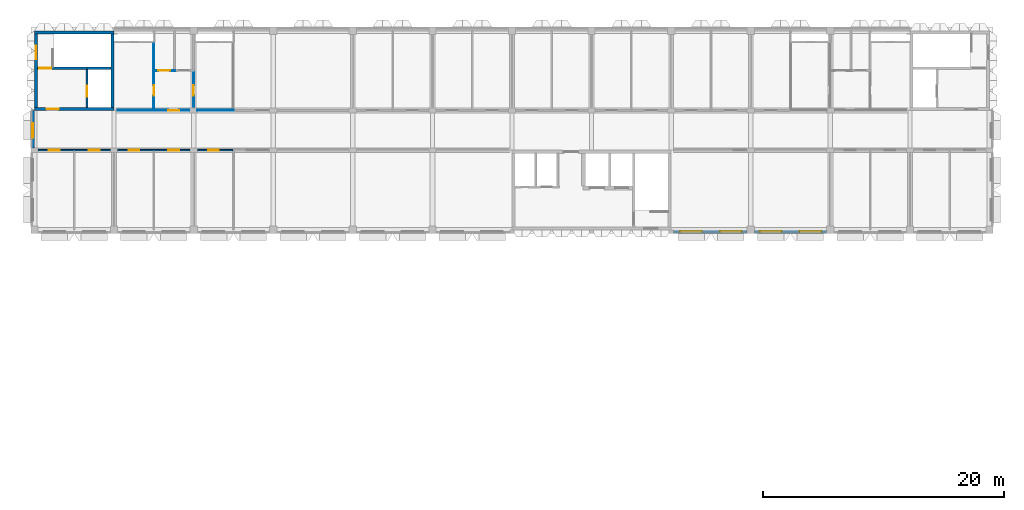
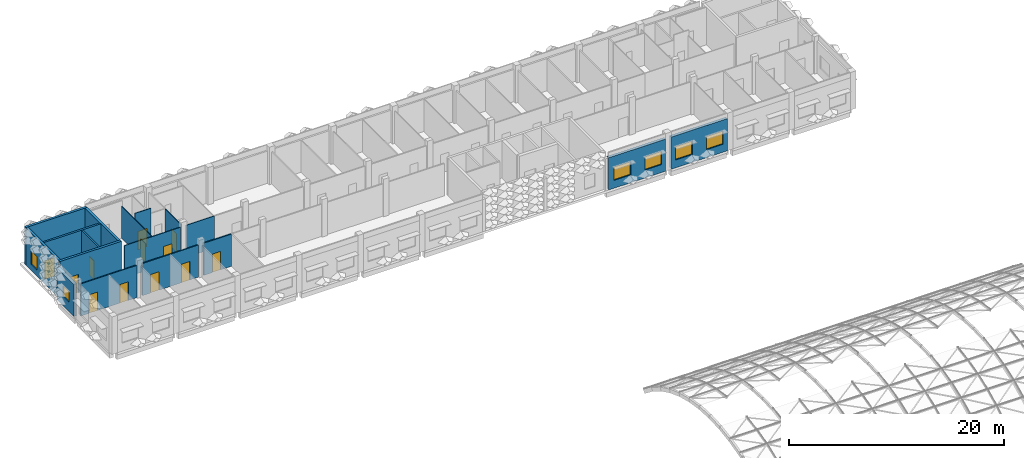
# One storey, part 32 of 85: 17 walls, 12 doors, 6 windows, 18 openings.
"""IFC4 building model written with IfcOpenShell, lengths in metres."""

from ifc_helpers import new_model, si_unit, direction, frame, frame_2d, origin, place, context, subcontext, project, spatial, rectangle, extrude, material, layer, layer_set, type_object, element, fill, save


model = new_model("IFC4")

# Units and contexts
model_context = context("Model", 3, precision=1e-05, world=origin(), true_north=direction((0.0, 1.0)))
body_context = subcontext(model_context, "Body", "Model", "MODEL_VIEW")
ifc_project = project(units=[si_unit("LENGTHUNIT", "METRE"), si_unit("AREAUNIT", "SQUARE_METRE"), si_unit("VOLUMEUNIT", "CUBIC_METRE"), si_unit("PLANEANGLEUNIT", "RADIAN"), si_unit("MASSUNIT", "GRAM", prefix="KILO")], contexts=[model_context])

# Site, building, storey
site_placement = place(None, origin())
site = spatial("IfcSite", under=ifc_project, at=site_placement, CompositionType="ELEMENT")
building_placement = place(site_placement, origin())
building = spatial("IfcBuilding", under=site, at=building_placement, Name="Lantern Court Research Institute", CompositionType="ELEMENT")
storey_placement = place(building_placement, frame((0.0, 0.0, 18.89990234375)))
storey = spatial("IfcBuildingStorey", under=building, at=storey_placement, Name="L04", CompositionType="ELEMENT", Elevation=18.89990234375)

# Wall, openings, windows
ifc_material_1 = material(Name="Concrete C30/37", Category="concrete")
ifc_layer_1 = layer(ifc_material_1, 0.300048828125)
ifc_layer_set_1 = layer_set([ifc_layer_1], Name="Concrete C30/37")
wall_type_1 = type_object("IfcWallType", Name="Insulated concrete infill wall 300", PredefinedType="STANDARD", material=ifc_layer_set_1)
wall_1_placement = place(storey_placement, frame((59.10009765625, 82.35009765625, 0.0), z_axis=(0.0, 0.0, 1.0), x_axis=(-1.0, 0.0, 0.0)))
wall_1 = element("IfcWall", 1, at=wall_1_placement, inside=storey, type_object=wall_type_1, Name="Exterior wall EW224", PredefinedType="STANDARD", context=body_context, shape_type="SweptSolid", body=[
    extrude(rectangle(XDim=6.125, YDim=0.300048828125, at=frame_2d((3.0625, 0.0))), origin(), (0.0, 0.0, 1.0), 3.650146484375),
])
opening_1_placement = place(wall_1_placement, frame((3.75, 0.0, 0.89990234375)))
opening_1 = element("IfcOpeningElement", 2, at=opening_1_placement, cuts=wall_1, Name="Opening W14", PredefinedType="OPENING", context=body_context, shape_type="SweptSolid", body=[
    extrude(rectangle(XDim=1.800048828125, YDim=1.5, at=frame_2d((0.89990234375, 0.75))), frame((0.0, 0.159912109375, 0.0), z_axis=(0.0, -1.0, 0.0), x_axis=(1.0, 0.0, 0.0)), (0.0, 0.0, 1.0), 0.320068359375),
])
opening_2_placement = place(wall_1_placement, frame((0.449951171875, 0.0, 0.89990234375)))
opening_2 = element("IfcOpeningElement", 3, at=opening_2_placement, cuts=wall_1, Name="Opening W14", PredefinedType="OPENING", context=body_context, shape_type="SweptSolid", body=[
    extrude(rectangle(XDim=1.800048828125, YDim=1.5, at=frame_2d((0.89990234375, 0.75))), frame((0.0, 0.159912109375, 0.0), z_axis=(0.0, -1.0, 0.0), x_axis=(1.0, 0.0, 0.0)), (0.0, 0.0, 1.0), 0.320068359375),
])
ifc_material_2 = material(Name="Aluminium frame with laminated low-emissivity glazing", Category="aluminium")
window_type_1 = type_object("IfcWindowType", Name="Office window 1800 x 1500", PartitioningType="SINGLE_PANEL", PredefinedType="WINDOW", material=ifc_material_2)
window_1_placement = place(opening_1_placement, origin())
window_1 = element("IfcWindow", 4, at=window_1_placement, inside=storey, type_object=window_type_1, Name="Window W14 V6S L04", OverallHeight=1.5, OverallWidth=1.800048828125, PartitioningType="SINGLE_PANEL", PredefinedType="WINDOW", context=body_context, shape_type="SweptSolid", body=[
    extrude(rectangle(XDim=1.800048828125, YDim=1.5, at=frame_2d((0.89990234375, 0.75))), frame((0.0, 0.030029296875, 0.0), z_axis=(0.0, -1.0, 0.0), x_axis=(1.0, 0.0, 0.0)), (0.0, 0.0, 1.0), 0.06005859375),
])
fill(opening_1, window_1)
window_2_placement = place(opening_2_placement, origin())
window_2 = element("IfcWindow", 5, at=window_2_placement, inside=storey, type_object=window_type_1, Name="Window W14 V6S L04", OverallHeight=1.5, OverallWidth=1.800048828125, PartitioningType="SINGLE_PANEL", PredefinedType="WINDOW", context=body_context, shape_type="SweptSolid", body=[
    extrude(rectangle(XDim=1.800048828125, YDim=1.5, at=frame_2d((0.89990234375, 0.75))), frame((0.0, 0.030029296875, 0.0), z_axis=(0.0, -1.0, 0.0), x_axis=(1.0, 0.0, 0.0)), (0.0, 0.0, 1.0), 0.06005859375),
])
fill(opening_2, window_2)

wall_2_placement = place(storey_placement, frame((65.699951171875, 82.35009765625, 0.0), z_axis=(0.0, 0.0, 1.0), x_axis=(-1.0, 0.0, 0.0)))
wall_2 = element("IfcWall", 6, at=wall_2_placement, inside=storey, type_object=wall_type_1, Name="Exterior wall EW225", PredefinedType="STANDARD", context=body_context, shape_type="SweptSolid", body=[
    extrude(rectangle(XDim=6.0, YDim=0.300048828125, at=frame_2d((3.0, 0.0))), origin(), (0.0, 0.0, 1.0), 3.650146484375),
])
opening_3_placement = place(wall_2_placement, frame((3.75, 0.0, 0.89990234375)))
opening_3 = element("IfcOpeningElement", 7, at=opening_3_placement, cuts=wall_2, Name="Opening W14", PredefinedType="OPENING", context=body_context, shape_type="SweptSolid", body=[
    extrude(rectangle(XDim=1.800048828125, YDim=1.5, at=frame_2d((0.89990234375, 0.75))), frame((0.0, 0.159912109375, 0.0), z_axis=(0.0, -1.0, 0.0), x_axis=(1.0, 0.0, 0.0)), (0.0, 0.0, 1.0), 0.320068359375),
])
opening_4_placement = place(wall_2_placement, frame((0.449951171875, 0.0, 0.89990234375)))
opening_4 = element("IfcOpeningElement", 8, at=opening_4_placement, cuts=wall_2, Name="Opening W14", PredefinedType="OPENING", context=body_context, shape_type="SweptSolid", body=[
    extrude(rectangle(XDim=1.800048828125, YDim=1.5, at=frame_2d((0.89990234375, 0.75))), frame((0.0, 0.159912109375, 0.0), z_axis=(0.0, -1.0, 0.0), x_axis=(1.0, 0.0, 0.0)), (0.0, 0.0, 1.0), 0.320068359375),
])
window_3_placement = place(opening_3_placement, origin())
window_3 = element("IfcWindow", 9, at=window_3_placement, inside=storey, type_object=window_type_1, Name="Window W14 V6S L04", OverallHeight=1.5, OverallWidth=1.800048828125, PartitioningType="SINGLE_PANEL", PredefinedType="WINDOW", context=body_context, shape_type="SweptSolid", body=[
    extrude(rectangle(XDim=1.800048828125, YDim=1.5, at=frame_2d((0.89990234375, 0.75))), frame((0.0, 0.030029296875, 0.0), z_axis=(0.0, -1.0, 0.0), x_axis=(1.0, 0.0, 0.0)), (0.0, 0.0, 1.0), 0.06005859375),
])
fill(opening_3, window_3)
window_4_placement = place(opening_4_placement, origin())
window_4 = element("IfcWindow", 10, at=window_4_placement, inside=storey, type_object=window_type_1, Name="Window W14 V6S L04", OverallHeight=1.5, OverallWidth=1.800048828125, PartitioningType="SINGLE_PANEL", PredefinedType="WINDOW", context=body_context, shape_type="SweptSolid", body=[
    extrude(rectangle(XDim=1.800048828125, YDim=1.5, at=frame_2d((0.89990234375, 0.75))), frame((0.0, 0.030029296875, 0.0), z_axis=(0.0, -1.0, 0.0), x_axis=(1.0, 0.0, 0.0)), (0.0, 0.0, 1.0), 0.06005859375),
])
fill(opening_4, window_4)

# Wall, opening, window
wall_3_placement = place(storey_placement, frame((-0.14990234375, 89.300048828125, 0.0), z_axis=(0.0, 0.0, 1.0), x_axis=(0.0, 1.0, 0.0)))
wall_3 = element("IfcWall", 11, at=wall_3_placement, inside=storey, type_object=wall_type_1, Name="Exterior wall EW229", PredefinedType="STANDARD", context=body_context, shape_type="SweptSolid", body=[
    extrude(rectangle(XDim=3.099853515625, YDim=0.300048828125, at=frame_2d((1.5498046875, 0.0))), origin(), (0.0, 0.0, 1.0), 3.650146484375),
])
opening_5_placement = place(wall_3_placement, frame((0.85009765625, 0.0, 1.10009765625)))
opening_5 = element("IfcOpeningElement", 12, at=opening_5_placement, cuts=wall_3, Name="Opening W05", PredefinedType="OPENING", context=body_context, shape_type="SweptSolid", body=[
    extrude(rectangle(XDim=1.199951171875, YDim=1.199951171875, at=frame_2d((0.60009765625, 0.60009765625))), frame((0.0, 0.159912109375, 0.0), z_axis=(0.0, -1.0, 0.0), x_axis=(1.0, 0.0, 0.0)), (0.0, 0.0, 1.0), 0.320068359375),
])
ifc_material_3 = material(Name="Aluminium frame with laminated low-emissivity glazing", Category="aluminium")
window_type_2 = type_object("IfcWindowType", Name="Corridor end window 1200 x 1200", PartitioningType="SINGLE_PANEL", PredefinedType="WINDOW", material=ifc_material_3)
window_5_placement = place(opening_5_placement, origin())
window_5 = element("IfcWindow", 13, at=window_5_placement, inside=storey, type_object=window_type_2, Name="Window W05 V6W L04", OverallHeight=1.199951171875, OverallWidth=1.199951171875, PartitioningType="SINGLE_PANEL", PredefinedType="WINDOW", context=body_context, shape_type="SweptSolid", body=[
    extrude(rectangle(XDim=1.199951171875, YDim=1.199951171875, at=frame_2d((0.60009765625, 0.60009765625))), frame((0.0, 0.030029296875, 0.0), z_axis=(0.0, -1.0, 0.0), x_axis=(1.0, 0.0, 0.0)), (0.0, 0.0, 1.0), 0.06005859375),
])
fill(opening_5, window_5)

# Wall, openings, doors
ifc_material_4 = material(Name="Gypsum board on metal studs")
ifc_layer_2 = layer(ifc_material_4, 0.125)
ifc_layer_set_2 = layer_set([ifc_layer_2], Name="Gypsum board on metal studs")
wall_type_2 = type_object("IfcWallType", Name="Protected corridor partition 125 mm EI 30", PredefinedType="PARTITIONING", material=ifc_layer_set_2)
wall_4_placement = place(storey_placement, frame((6.300048828125, 89.10009765625, 0.0), z_axis=(0.0, 0.0, 1.0), x_axis=(-1.0, 0.0, 0.0)))
wall_4 = element("IfcWall", 14, at=wall_4_placement, inside=storey, type_object=wall_type_2, Name="Wall V6-L04-001", PredefinedType="PARTITIONING", context=body_context, shape_type="SweptSolid", body=[
    extrude(rectangle(XDim=6.0, YDim=0.125, at=frame_2d((3.0, 0.0))), origin(), (0.0, 0.0, 1.0), 3.650146484375),
])
opening_6_placement = place(wall_4_placement, frame((4.199951171875, 0.0, 0.0)))
opening_6 = element("IfcOpeningElement", 15, at=opening_6_placement, cuts=wall_4, Name="Opening D6401", PredefinedType="OPENING", context=body_context, shape_type="SweptSolid", body=[
    extrude(rectangle(XDim=0.89990234375, YDim=2.10009765625, at=frame_2d((0.449951171875, 1.050048828125))), frame((0.0, 0.072509765625, 0.0), z_axis=(0.0, -1.0, 0.0), x_axis=(1.0, 0.0, 0.0)), (0.0, 0.0, 1.0), 0.14501953125),
])
opening_7_placement = place(wall_4_placement, frame((0.89990234375, 0.0, 0.0)))
opening_7 = element("IfcOpeningElement", 16, at=opening_7_placement, cuts=wall_4, Name="Opening D6402", PredefinedType="OPENING", context=body_context, shape_type="SweptSolid", body=[
    extrude(rectangle(XDim=0.89990234375, YDim=2.10009765625, at=frame_2d((0.449951171875, 1.050048828125))), frame((0.0, 0.072509765625, 0.0), z_axis=(0.0, -1.0, 0.0), x_axis=(1.0, 0.0, 0.0)), (0.0, 0.0, 1.0), 0.14501953125),
])
ifc_material_5 = material(Name="Timber veneered door leaf", Category="wood")
door_type_1 = type_object("IfcDoorType", Name="Door 900 x 2100 timber FD30S", OperationType="NOTDEFINED", PredefinedType="DOOR", material=ifc_material_5)
door_1_placement = place(opening_6_placement, origin())
door_1 = element("IfcDoor", 17, at=door_1_placement, inside=storey, type_object=door_type_1, Name="Door D6401", OperationType="SINGLE_SWING_RIGHT", OverallHeight=2.10009765625, OverallWidth=0.89990234375, PredefinedType="DOOR", context=body_context, shape_type="SweptSolid", body=[
    extrude(rectangle(XDim=0.89990234375, YDim=2.10009765625, at=frame_2d((0.449951171875, 1.050048828125))), frame((0.0, 0.02490234375, 0.0), z_axis=(0.0, -1.0, 0.0), x_axis=(1.0, 0.0, 0.0)), (0.0, 0.0, 1.0), 0.050048828125),
])
fill(opening_6, door_1)
door_2_placement = place(opening_7_placement, origin())
door_2 = element("IfcDoor", 18, at=door_2_placement, inside=storey, type_object=door_type_1, Name="Door D6402", OperationType="SINGLE_SWING_LEFT", OverallHeight=2.10009765625, OverallWidth=0.89990234375, PredefinedType="DOOR", context=body_context, shape_type="SweptSolid", body=[
    extrude(rectangle(XDim=0.89990234375, YDim=2.10009765625, at=frame_2d((0.449951171875, 1.050048828125))), frame((0.0, 0.02490234375, 0.0), z_axis=(0.0, -1.0, 0.0), x_axis=(1.0, 0.0, 0.0)), (0.0, 0.0, 1.0), 0.050048828125),
])
fill(opening_7, door_2)

wall_5_placement = place(storey_placement, frame((12.89990234375, 89.10009765625, 0.0), z_axis=(0.0, 0.0, 1.0), x_axis=(-1.0, 0.0, 0.0)))
wall_5 = element("IfcWall", 19, at=wall_5_placement, inside=storey, type_object=wall_type_2, Name="Wall V6-L04-002", PredefinedType="PARTITIONING", context=body_context, shape_type="SweptSolid", body=[
    extrude(rectangle(XDim=6.0, YDim=0.125, at=frame_2d((3.0, 0.0))), origin(), (0.0, 0.0, 1.0), 3.650146484375),
])
opening_8_placement = place(wall_5_placement, frame((4.199951171875, 0.0, 0.0)))
opening_8 = element("IfcOpeningElement", 20, at=opening_8_placement, cuts=wall_5, Name="Opening D6403", PredefinedType="OPENING", context=body_context, shape_type="SweptSolid", body=[
    extrude(rectangle(XDim=0.89990234375, YDim=2.10009765625, at=frame_2d((0.449951171875, 1.050048828125))), frame((0.0, 0.072509765625, 0.0), z_axis=(0.0, -1.0, 0.0), x_axis=(1.0, 0.0, 0.0)), (0.0, 0.0, 1.0), 0.14501953125),
])
opening_9_placement = place(wall_5_placement, frame((0.89990234375, 0.0, 0.0)))
opening_9 = element("IfcOpeningElement", 21, at=opening_9_placement, cuts=wall_5, Name="Opening D6404", PredefinedType="OPENING", context=body_context, shape_type="SweptSolid", body=[
    extrude(rectangle(XDim=0.89990234375, YDim=2.10009765625, at=frame_2d((0.449951171875, 1.050048828125))), frame((0.0, 0.072509765625, 0.0), z_axis=(0.0, -1.0, 0.0), x_axis=(1.0, 0.0, 0.0)), (0.0, 0.0, 1.0), 0.14501953125),
])
door_3_placement = place(opening_8_placement, origin())
door_3 = element("IfcDoor", 22, at=door_3_placement, inside=storey, type_object=door_type_1, Name="Door D6403", OperationType="SINGLE_SWING_RIGHT", OverallHeight=2.10009765625, OverallWidth=0.89990234375, PredefinedType="DOOR", context=body_context, shape_type="SweptSolid", body=[
    extrude(rectangle(XDim=0.89990234375, YDim=2.10009765625, at=frame_2d((0.449951171875, 1.050048828125))), frame((0.0, 0.02490234375, 0.0), z_axis=(0.0, -1.0, 0.0), x_axis=(1.0, 0.0, 0.0)), (0.0, 0.0, 1.0), 0.050048828125),
])
fill(opening_8, door_3)
door_4_placement = place(opening_9_placement, origin())
door_4 = element("IfcDoor", 23, at=door_4_placement, inside=storey, type_object=door_type_1, Name="Door D6404", OperationType="SINGLE_SWING_LEFT", OverallHeight=2.10009765625, OverallWidth=0.89990234375, PredefinedType="DOOR", context=body_context, shape_type="SweptSolid", body=[
    extrude(rectangle(XDim=0.89990234375, YDim=2.10009765625, at=frame_2d((0.449951171875, 1.050048828125))), frame((0.0, 0.02490234375, 0.0), z_axis=(0.0, -1.0, 0.0), x_axis=(1.0, 0.0, 0.0)), (0.0, 0.0, 1.0), 0.050048828125),
])
fill(opening_9, door_4)

# Wall, opening, door
wall_6_placement = place(storey_placement, frame((16.449951171875, 89.10009765625, 0.0), z_axis=(0.0, 0.0, 1.0), x_axis=(-1.0, 0.0, 0.0)))
wall_6 = element("IfcWall", 24, at=wall_6_placement, inside=storey, type_object=wall_type_2, Name="Wall V6-L04-003", PredefinedType="PARTITIONING", context=body_context, shape_type="SweptSolid", body=[
    extrude(rectangle(XDim=2.949951171875, YDim=0.125, at=frame_2d((1.47509765625, 0.0))), origin(), (0.0, 0.0, 1.0), 3.650146484375),
])
opening_10_placement = place(wall_6_placement, frame((1.14990234375, 0.0, 0.0)))
opening_10 = element("IfcOpeningElement", 25, at=opening_10_placement, cuts=wall_6, Name="Opening D6405", PredefinedType="OPENING", context=body_context, shape_type="SweptSolid", body=[
    extrude(rectangle(XDim=0.89990234375, YDim=2.10009765625, at=frame_2d((0.449951171875, 1.050048828125))), frame((0.0, 0.072509765625, 0.0), z_axis=(0.0, -1.0, 0.0), x_axis=(1.0, 0.0, 0.0)), (0.0, 0.0, 1.0), 0.14501953125),
])
door_5_placement = place(opening_10_placement, origin())
door_5 = element("IfcDoor", 26, at=door_5_placement, inside=storey, type_object=door_type_1, Name="Door D6405", OperationType="SINGLE_SWING_RIGHT", OverallHeight=2.10009765625, OverallWidth=0.89990234375, PredefinedType="DOOR", context=body_context, shape_type="SweptSolid", body=[
    extrude(rectangle(XDim=0.89990234375, YDim=2.10009765625, at=frame_2d((0.449951171875, 1.050048828125))), frame((0.0, 0.02490234375, 0.0), z_axis=(0.0, -1.0, 0.0), x_axis=(1.0, 0.0, 0.0)), (0.0, 0.0, 1.0), 0.050048828125),
])
fill(opening_10, door_5)

ifc_material_6 = material(Name="Concrete C40/50", Category="concrete")
ifc_layer_3 = layer(ifc_material_6, 0.25)
ifc_layer_set_3 = layer_set([ifc_layer_3], Name="Concrete C40/50")
wall_type_3 = type_object("IfcWallType", Name="RC core wall 250", PredefinedType="SHEAR", material=ifc_layer_set_3)
wall_7_placement = place(storey_placement, frame((0.0, 92.52490234375, 0.0), z_axis=(0.0, 0.0, 1.0), x_axis=(1.0, 0.0, 0.0)))
wall_7 = element("IfcWall", 27, at=wall_7_placement, inside=storey, type_object=wall_type_3, Name="South wall of core WC-W", PredefinedType="SHEAR", context=body_context, shape_type="SweptSolid", body=[
    extrude(rectangle(XDim=6.60009765625, YDim=0.25, at=frame_2d((3.300048828125, 0.0))), origin(), (0.0, 0.0, 1.0), 4.25),
])
opening_11_placement = place(wall_7_placement, frame((1.0, 0.0, 0.0)))
opening_11 = element("IfcOpeningElement", 28, at=opening_11_placement, cuts=wall_7, Name="Opening D7214", PredefinedType="OPENING", context=body_context, shape_type="SweptSolid", body=[
    extrude(rectangle(XDim=1.0, YDim=2.10009765625, at=frame_2d((0.5, 1.050048828125))), frame((0.0, 0.135009765625, 0.0), z_axis=(0.0, -1.0, 0.0), x_axis=(1.0, 0.0, 0.0)), (0.0, 0.0, 1.0), 0.27001953125),
])
ifc_material_7 = material(Name="Steel fire door leaf with smoke seals", Category="steel")
door_type_2 = type_object("IfcDoorType", Name="Door 1000 x 2100 fire rated FD60S", OperationType="NOTDEFINED", PredefinedType="DOOR", material=ifc_material_7)
door_6_placement = place(opening_11_placement, origin())
door_6 = element("IfcDoor", 29, at=door_6_placement, inside=storey, type_object=door_type_2, Name="Lobby door", OperationType="SINGLE_SWING_RIGHT", OverallHeight=2.10009765625, OverallWidth=1.0, PredefinedType="DOOR", context=body_context, shape_type="SweptSolid", body=[
    extrude(rectangle(XDim=1.0, YDim=2.10009765625, at=frame_2d((0.5, 1.050048828125))), frame((0.0, 0.02490234375, 0.0), z_axis=(0.0, -1.0, 0.0), x_axis=(1.0, 0.0, 0.0)), (0.0, 0.0, 1.0), 0.050048828125),
])
fill(opening_11, door_6)

# Walls
wall_8_placement = place(storey_placement, frame((6.47509765625, 92.64990234375, 0.0), z_axis=(0.0, 0.0, 1.0), x_axis=(0.0, 1.0, 0.0)))
element("IfcWall", 30, at=wall_8_placement, inside=storey, type_object=wall_type_3, Name="East wall of core WC-W", PredefinedType="SHEAR", context=body_context, shape_type="SweptSolid", body=[
    extrude(rectangle(XDim=6.10009765625, YDim=0.25, at=frame_2d((3.050048828125, 0.0))), origin(), (0.0, 0.0, 1.0), 4.25),
])
ifc_material_8 = material(Name="Concrete C40/50", Category="concrete")
ifc_layer_4 = layer(ifc_material_8, 0.25)
ifc_layer_set_4 = layer_set([ifc_layer_4], Name="Concrete C40/50")
wall_type_4 = type_object("IfcWallType", Name="RC core wall 250 facade", PredefinedType="SHEAR", material=ifc_layer_set_4)
wall_9_placement = place(storey_placement, frame((0.0, 98.875, 0.0), z_axis=(0.0, 0.0, 1.0), x_axis=(1.0, 0.0, 0.0)))
element("IfcWall", 31, at=wall_9_placement, inside=storey, type_object=wall_type_4, Name="North wall of core WC-W", PredefinedType="SHEAR", context=body_context, shape_type="SweptSolid", body=[
    extrude(rectangle(XDim=6.60009765625, YDim=0.25, at=frame_2d((3.300048828125, 0.0))), origin(), (0.0, 0.0, 1.0), 4.25),
])

# Wall, opening, window
wall_10_placement = place(storey_placement, frame((0.125, 92.64990234375, 0.0), z_axis=(0.0, 0.0, 1.0), x_axis=(0.0, 1.0, 0.0)))
wall_10 = element("IfcWall", 32, at=wall_10_placement, inside=storey, type_object=wall_type_4, Name="West wall of core WC-W", PredefinedType="SHEAR", context=body_context, shape_type="SweptSolid", body=[
    extrude(rectangle(XDim=6.10009765625, YDim=0.25, at=frame_2d((3.050048828125, 0.0))), origin(), (0.0, 0.0, 1.0), 4.25),
])
opening_12_placement = place(wall_10_placement, frame((4.0, 0.0, 0.699951171875)))
opening_12 = element("IfcOpeningElement", 33, at=opening_12_placement, cuts=wall_10, Name="Opening W5", PredefinedType="OPENING", context=body_context, shape_type="SweptSolid", body=[
    extrude(rectangle(XDim=1.10009765625, YDim=1.5, at=frame_2d((0.550048828125, 0.75))), frame((0.0, 0.135009765625, 0.0), z_axis=(0.0, -1.0, 0.0), x_axis=(1.0, 0.0, 0.0)), (0.0, 0.0, 1.0), 0.27001953125),
])
ifc_material_9 = material(Name="Aluminium alloy 6063-T6 frame with laminated glass", Category="aluminium")
window_type_3 = type_object("IfcWindowType", Name="Stair window 1100 x 1500", PartitioningType="SINGLE_PANEL", PredefinedType="WINDOW", material=ifc_material_9)
window_6_placement = place(opening_12_placement, origin())
window_6 = element("IfcWindow", 34, at=window_6_placement, inside=storey, type_object=window_type_3, Name="Stair window", OverallHeight=1.5, OverallWidth=1.10009765625, PartitioningType="SINGLE_PANEL", PredefinedType="WINDOW", context=body_context, shape_type="SweptSolid", body=[
    extrude(rectangle(XDim=1.10009765625, YDim=1.5, at=frame_2d((0.550048828125, 0.75))), frame((0.0, 0.030029296875, 0.0), z_axis=(0.0, -1.0, 0.0), x_axis=(1.0, 0.0, 0.0)), (0.0, 0.0, 1.0), 0.06005859375),
])
fill(opening_12, window_6)

# Wall, opening, door
ifc_material_10 = material(Name="Concrete C40/50", Category="concrete")
ifc_layer_5 = layer(ifc_material_10, 0.14990234375)
ifc_layer_set_5 = layer_set([ifc_layer_5], Name="Concrete C40/50")
wall_type_5 = type_object("IfcWallType", Name="RC shaft wall 150", PredefinedType="SHEAR", material=ifc_layer_set_5)
wall_11_placement = place(storey_placement, frame((4.35009765625, 92.64990234375, 0.0), z_axis=(0.0, 0.0, 1.0), x_axis=(0.0, 1.0, 0.0)))
wall_11 = element("IfcWall", 35, at=wall_11_placement, inside=storey, type_object=wall_type_5, Name="Riser wall of core WC-W", PredefinedType="SHEAR", context=body_context, shape_type="SweptSolid", body=[
    extrude(rectangle(XDim=3.150146484375, YDim=0.14990234375, at=frame_2d((1.5751953125, 0.0))), origin(), (0.0, 0.0, 1.0), 4.25),
])
opening_13_placement = place(wall_11_placement, frame((0.89990234375, 0.0, 0.0)))
opening_13 = element("IfcOpeningElement", 36, at=opening_13_placement, cuts=wall_11, Name="Opening D7213", PredefinedType="OPENING", context=body_context, shape_type="SweptSolid", body=[
    extrude(rectangle(XDim=0.89990234375, YDim=2.10009765625, at=frame_2d((0.449951171875, 1.050048828125))), frame((0.0, 0.0849609375, 0.0), z_axis=(0.0, -1.0, 0.0), x_axis=(1.0, 0.0, 0.0)), (0.0, 0.0, 1.0), 0.169921875),
])
ifc_material_11 = material(Name="Steel fire door leaf", Category="steel")
door_type_3 = type_object("IfcDoorType", Name="Door 900 x 2100 fire rated FD60", OperationType="NOTDEFINED", PredefinedType="DOOR", material=ifc_material_11)
door_7_placement = place(opening_13_placement, origin())
door_7 = element("IfcDoor", 37, at=door_7_placement, inside=storey, type_object=door_type_3, Name="Riser door", OperationType="SINGLE_SWING_RIGHT", OverallHeight=2.10009765625, OverallWidth=0.89990234375, PredefinedType="DOOR", context=body_context, shape_type="SweptSolid", body=[
    extrude(rectangle(XDim=0.89990234375, YDim=2.10009765625, at=frame_2d((0.449951171875, 1.050048828125))), frame((0.0, 0.02490234375, 0.0), z_axis=(0.0, -1.0, 0.0), x_axis=(1.0, 0.0, 0.0)), (0.0, 0.0, 1.0), 0.050048828125),
])
fill(opening_13, door_7)

ifc_material_12 = material(Name="Concrete C40/50", Category="concrete")
ifc_layer_6 = layer(ifc_material_12, 0.199951171875)
ifc_layer_set_6 = layer_set([ifc_layer_6], Name="Concrete C40/50")
wall_type_6 = type_object("IfcWallType", Name="RC shaft wall 200", PredefinedType="SHEAR", material=ifc_layer_set_6)
wall_12_placement = place(storey_placement, frame((0.25, 95.89990234375, 0.0), z_axis=(0.0, 0.0, 1.0), x_axis=(1.0, 0.0, 0.0)))
wall_12 = element("IfcWall", 38, at=wall_12_placement, inside=storey, type_object=wall_type_6, Name="Stair wall of core WC-W", PredefinedType="SHEAR", context=body_context, shape_type="SweptSolid", body=[
    extrude(rectangle(XDim=6.10009765625, YDim=0.199951171875, at=frame_2d((3.050048828125, 0.0))), origin(), (0.0, 0.0, 1.0), 4.25),
])
opening_14_placement = place(wall_12_placement, frame((0.14990234375, 0.0, 0.0)))
opening_14 = element("IfcOpeningElement", 39, at=opening_14_placement, cuts=wall_12, Name="Opening D7215", PredefinedType="OPENING", context=body_context, shape_type="SweptSolid", body=[
    extrude(rectangle(XDim=1.0, YDim=2.10009765625, at=frame_2d((0.5, 1.050048828125))), frame((0.0, 0.10986328125, 0.0), z_axis=(0.0, -1.0, 0.0), x_axis=(1.0, 0.0, 0.0)), (0.0, 0.0, 1.0), 0.219970703125),
])
door_8_placement = place(opening_14_placement, origin())
door_8 = element("IfcDoor", 40, at=door_8_placement, inside=storey, type_object=door_type_2, Name="Stair door", OperationType="SINGLE_SWING_RIGHT", OverallHeight=2.10009765625, OverallWidth=1.0, PredefinedType="DOOR", context=body_context, shape_type="SweptSolid", body=[
    extrude(rectangle(XDim=1.0, YDim=2.10009765625, at=frame_2d((0.5, 1.050048828125))), frame((0.0, 0.02490234375, 0.0), z_axis=(0.0, -1.0, 0.0), x_axis=(1.0, 0.0, 0.0)), (0.0, 0.0, 1.0), 0.050048828125),
])
fill(opening_14, door_8)

ifc_material_13 = material(Name="Gypsum board on metal studs")
ifc_layer_7 = layer(ifc_material_13, 0.074951171875)
ifc_layer_set_7 = layer_set([ifc_layer_7], Name="Gypsum board on metal studs")
wall_type_7 = type_object("IfcWallType", Name="Service partition 75 mm", PredefinedType="PARTITIONING", material=ifc_layer_set_7)
wall_13_placement = place(storey_placement, frame((11.655029296875, 95.699951171875, 0.0), z_axis=(0.0, 0.0, 1.0), x_axis=(-1.0, 0.0, 0.0)))
wall_13 = element("IfcWall", 41, at=wall_13_placement, inside=storey, type_object=wall_type_7, Name="Wall V6-L04-024", PredefinedType="PARTITIONING", context=body_context, shape_type="SweptSolid", body=[
    extrude(rectangle(XDim=1.717041015625, YDim=0.074951171875, at=frame_2d((0.8583984375, 0.0))), origin(), (0.0, 0.0, 1.0), 4.25),
])
opening_15_placement = place(wall_13_placement, frame((0.405029296875, 0.0, 0.0)))
opening_15 = element("IfcOpeningElement", 42, at=opening_15_placement, cuts=wall_13, Name="Opening D6426", PredefinedType="OPENING", context=body_context, shape_type="SweptSolid", body=[
    extrude(rectangle(XDim=1.0, YDim=2.10009765625, at=frame_2d((0.5, 1.050048828125))), frame((0.0, 0.04736328125, 0.0), z_axis=(0.0, -1.0, 0.0), x_axis=(1.0, 0.0, 0.0)), (0.0, 0.0, 1.0), 0.094970703125),
])
ifc_material_14 = material(Name="Timber veneered door leaf", Category="wood")
door_type_4 = type_object("IfcDoorType", Name="Door 1000 x 2100 accessible WC", OperationType="NOTDEFINED", PredefinedType="DOOR", material=ifc_material_14)
door_9_placement = place(opening_15_placement, origin())
door_9 = element("IfcDoor", 43, at=door_9_placement, inside=storey, type_object=door_type_4, Name="Door D6426", OperationType="SINGLE_SWING_RIGHT", OverallHeight=2.10009765625, OverallWidth=1.0, PredefinedType="DOOR", context=body_context, shape_type="SweptSolid", body=[
    extrude(rectangle(XDim=1.0, YDim=2.10009765625, at=frame_2d((0.5, 1.050048828125))), frame((0.0, 0.02490234375, 0.0), z_axis=(0.0, -1.0, 0.0), x_axis=(1.0, 0.0, 0.0)), (0.0, 0.0, 1.0), 0.050048828125),
])
fill(opening_15, door_9)

wall_14_placement = place(storey_placement, frame((9.89990234375, 92.43798828125, 0.0), z_axis=(0.0, 0.0, 1.0), x_axis=(0.0, 1.0, 0.0)))
wall_14 = element("IfcWall", 44, at=wall_14_placement, inside=storey, type_object=wall_type_7, Name="Wall V6-L04-035", PredefinedType="PARTITIONING", context=body_context, shape_type="SweptSolid", body=[
    extrude(rectangle(XDim=5.60693359375, YDim=0.074951171875, at=frame_2d((2.803466796875, 0.0))), origin(), (0.0, 0.0, 1.0), 3.650146484375),
])
opening_16_placement = place(wall_14_placement, frame((1.162109375, 0.0, 0.0)))
opening_16 = element("IfcOpeningElement", 45, at=opening_16_placement, cuts=wall_14, Name="Opening D6434", PredefinedType="OPENING", context=body_context, shape_type="SweptSolid", body=[
    extrude(rectangle(XDim=0.89990234375, YDim=2.10009765625, at=frame_2d((0.449951171875, 1.050048828125))), frame((0.0, 0.04736328125, 0.0), z_axis=(0.0, -1.0, 0.0), x_axis=(1.0, 0.0, 0.0)), (0.0, 0.0, 1.0), 0.094970703125),
])
ifc_material_15 = material(Name="Timber veneered door leaf", Category="wood")
door_type_5 = type_object("IfcDoorType", Name="Door 900 x 2100 WC", OperationType="NOTDEFINED", PredefinedType="DOOR", material=ifc_material_15)
door_10_placement = place(opening_16_placement, origin())
door_10 = element("IfcDoor", 46, at=door_10_placement, inside=storey, type_object=door_type_5, Name="Door D6434", OperationType="SINGLE_SWING_LEFT", OverallHeight=2.10009765625, OverallWidth=0.89990234375, PredefinedType="DOOR", context=body_context, shape_type="SweptSolid", body=[
    extrude(rectangle(XDim=0.89990234375, YDim=2.10009765625, at=frame_2d((0.449951171875, 1.050048828125))), frame((0.0, 0.02490234375, 0.0), z_axis=(0.0, -1.0, 0.0), x_axis=(1.0, 0.0, 0.0)), (0.0, 0.0, 1.0), 0.050048828125),
])
fill(opening_16, door_10)

wall_15_placement = place(storey_placement, frame((13.199951171875, 95.64501953125, 0.0), z_axis=(0.0, 0.0, 1.0), x_axis=(0.0, -1.0, 0.0)))
wall_15 = element("IfcWall", 47, at=wall_15_placement, inside=storey, type_object=wall_type_7, Name="Wall V6-L04-039", PredefinedType="PARTITIONING", context=body_context, shape_type="SweptSolid", body=[
    extrude(rectangle(XDim=2.945068359375, YDim=0.074951171875, at=frame_2d((1.47265625, 0.0))), origin(), (0.0, 0.0, 1.0), 3.650146484375),
])
opening_17_placement = place(wall_15_placement, frame((1.14501953125, 0.0, 0.0)))
opening_17 = element("IfcOpeningElement", 48, at=opening_17_placement, cuts=wall_15, Name="Opening D6435", PredefinedType="OPENING", context=body_context, shape_type="SweptSolid", body=[
    extrude(rectangle(XDim=0.89990234375, YDim=2.10009765625, at=frame_2d((0.449951171875, 1.050048828125))), frame((0.0, 0.04736328125, 0.0), z_axis=(0.0, -1.0, 0.0), x_axis=(1.0, 0.0, 0.0)), (0.0, 0.0, 1.0), 0.094970703125),
])
door_11_placement = place(opening_17_placement, origin())
door_11 = element("IfcDoor", 49, at=door_11_placement, inside=storey, type_object=door_type_5, Name="Door D6435", OperationType="SINGLE_SWING_RIGHT", OverallHeight=2.10009765625, OverallWidth=0.89990234375, PredefinedType="DOOR", context=body_context, shape_type="SweptSolid", body=[
    extrude(rectangle(XDim=0.89990234375, YDim=2.10009765625, at=frame_2d((0.449951171875, 1.050048828125))), frame((0.0, 0.02490234375, 0.0), z_axis=(0.0, -1.0, 0.0), x_axis=(1.0, 0.0, 0.0)), (0.0, 0.0, 1.0), 0.050048828125),
])
fill(opening_17, door_11)

ifc_material_16 = material(Name="Gypsum board on metal studs")
ifc_layer_8 = layer(ifc_material_16, 0.074951171875)
ifc_layer_set_8 = layer_set([ifc_layer_8], Name="Gypsum board on metal studs")
wall_type_8 = type_object("IfcWallType", Name="Service partition 75 mm EI 30", PredefinedType="PARTITIONING", material=ifc_layer_set_8)
wall_16_placement = place(storey_placement, frame((6.89990234375, 92.39990234375, 0.0), z_axis=(0.0, 0.0, 1.0), x_axis=(1.0, 0.0, 0.0)))
wall_16 = element("IfcWall", 50, at=wall_16_placement, inside=storey, type_object=wall_type_8, Name="Wall V6-L04-012", PredefinedType="PARTITIONING", context=body_context, shape_type="SweptSolid", body=[
    extrude(rectangle(XDim=6.0, YDim=0.074951171875, at=frame_2d((3.0, 0.0))), origin(), (0.0, 0.0, 1.0), 3.650146484375),
])
opening_18_placement = place(wall_16_placement, frame((4.199951171875, 0.0, 0.0)))
opening_18 = element("IfcOpeningElement", 51, at=opening_18_placement, cuts=wall_16, Name="Opening D6412", PredefinedType="OPENING", context=body_context, shape_type="SweptSolid", body=[
    extrude(rectangle(XDim=0.89990234375, YDim=2.10009765625, at=frame_2d((0.449951171875, 1.050048828125))), frame((0.0, 0.04736328125, 0.0), z_axis=(0.0, -1.0, 0.0), x_axis=(1.0, 0.0, 0.0)), (0.0, 0.0, 1.0), 0.094970703125),
])
ifc_material_17 = material(Name="Timber veneered door leaf", Category="wood")
door_type_6 = type_object("IfcDoorType", Name="Door 900 x 2100 WC FD30S", OperationType="NOTDEFINED", PredefinedType="DOOR", material=ifc_material_17)
door_12_placement = place(opening_18_placement, origin())
door_12 = element("IfcDoor", 52, at=door_12_placement, inside=storey, type_object=door_type_6, Name="Door D6412", OperationType="SINGLE_SWING_RIGHT", OverallHeight=2.10009765625, OverallWidth=0.89990234375, PredefinedType="DOOR", context=body_context, shape_type="SweptSolid", body=[
    extrude(rectangle(XDim=0.89990234375, YDim=2.10009765625, at=frame_2d((0.449951171875, 1.050048828125))), frame((0.0, 0.02490234375, 0.0), z_axis=(0.0, -1.0, 0.0), x_axis=(1.0, 0.0, 0.0)), (0.0, 0.0, 1.0), 0.050048828125),
])
fill(opening_18, door_12)

# Wall
wall_17_placement = place(storey_placement, frame((13.5, 92.39990234375, 0.0), z_axis=(0.0, 0.0, 1.0), x_axis=(1.0, 0.0, 0.0)))
element("IfcWall", 53, at=wall_17_placement, inside=storey, type_object=wall_type_8, Name="Wall V6-L04-013", PredefinedType="PARTITIONING", context=body_context, shape_type="SweptSolid", body=[
    extrude(rectangle(XDim=3.0380859375, YDim=0.074951171875, at=frame_2d((1.51904296875, 0.0))), origin(), (0.0, 0.0, 1.0), 3.650146484375),
])

save(model, "model.ifc")
